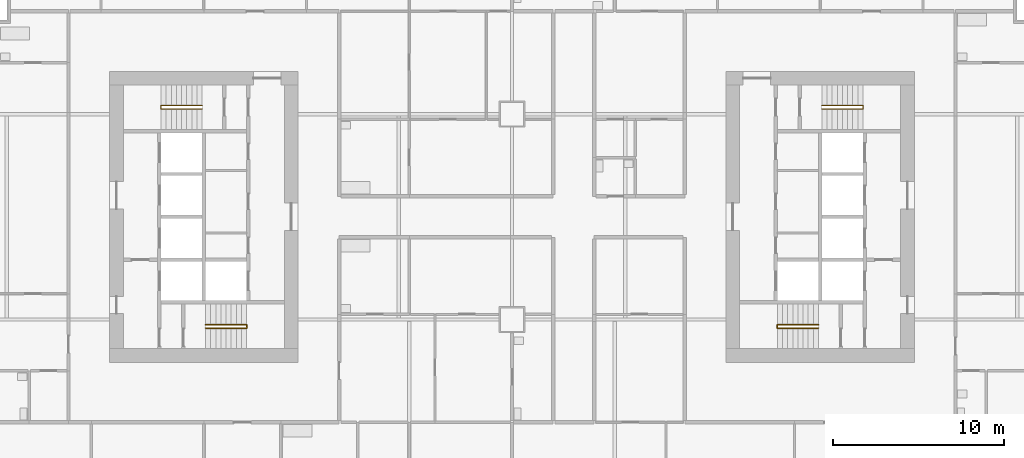
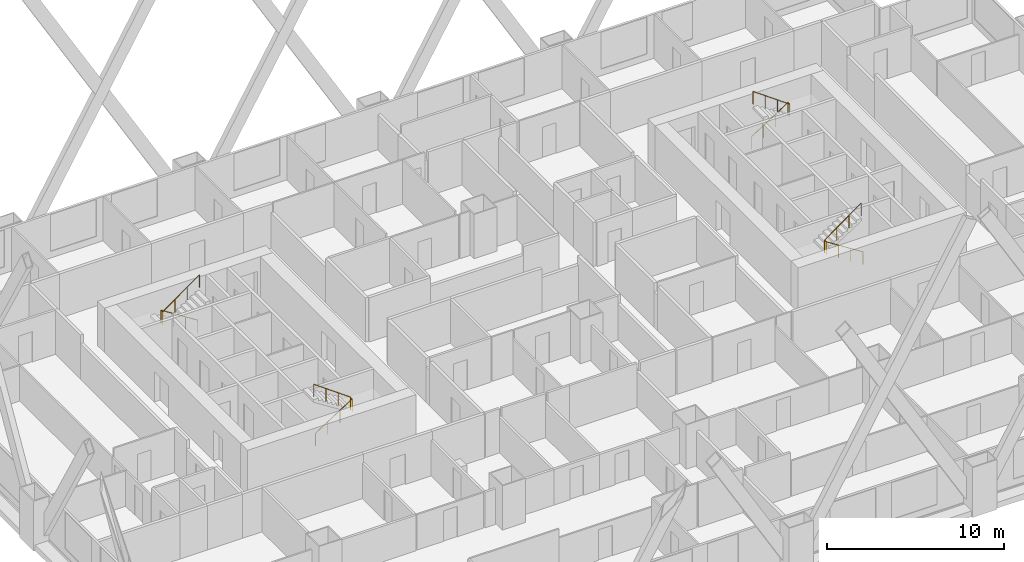
# One storey, part 12 of 13: 4 railings.
"""IFC4 building model written with IfcOpenShell, lengths in metres."""

from ifc_helpers import new_model, si_unit, direction, frame, origin, origin_2d, place, context, subcontext, project, spatial, circle, extrude, material, type_object, element, save


model = new_model("IFC4")

# Units and contexts
model_context = context("Model", 3, precision=1e-05, world=origin(), true_north=direction((0.0, 1.0)))
body_context = subcontext(model_context, "Body", "Model", "MODEL_VIEW")
ifc_project = project(units=[si_unit("LENGTHUNIT", "METRE"), si_unit("AREAUNIT", "SQUARE_METRE"), si_unit("VOLUMEUNIT", "CUBIC_METRE"), si_unit("PLANEANGLEUNIT", "RADIAN"), si_unit("MASSUNIT", "GRAM", prefix="KILO")], contexts=[model_context])

# Site, building, storey
site_placement = place(None, origin())
site = spatial("IfcSite", under=ifc_project, at=site_placement, CompositionType="ELEMENT")
building_placement = place(site_placement, origin())
building = spatial("IfcBuilding", under=site, at=building_placement, Name="Kitamizu Gate Tower and Museum", CompositionType="ELEMENT")
storey_placement = place(building_placement, frame((0.0, 0.0, 71.39990234375)))
storey = spatial("IfcBuildingStorey", under=building, at=storey_placement, Name="L17", CompositionType="ELEMENT", Elevation=71.39990234375)

# Railings
ifc_material = material(Name="Stainless steel SUS304", Category="steel")
railing_type = type_object("IfcRailingType", Name="Stair handrail 900", PredefinedType="HANDRAIL", material=ifc_material)
railing_1_placement = place(storey_placement, frame((18.10009765625, 23.5, 0.191650390625)))
element("IfcRailing", 1, at=railing_1_placement, inside=storey, type_object=railing_type, Name="Stair handrail ST1", PredefinedType="HANDRAIL", context=body_context, shape_type="SweptSolid", body=[
    extrude(circle(Radius=0.02392578125, at=origin_2d()), frame((0.0, 0.0, 0.8759765625), z_axis=(0.842668169335, 0.0, 0.538433242278), x_axis=(0.0, 1.0, 0.0)), (0.0, 0.0, 1.0), 2.847900390625),
    extrude(circle(Radius=0.02392578125, at=origin_2d()), frame((2.39990234375, 0.0, 2.4091796875), z_axis=(0.0, 1.0, 0.0), x_axis=(-1.0, 0.0, 0.0)), (0.0, 0.0, 1.0), 0.199951171875),
    extrude(circle(Radius=0.02392578125, at=origin_2d()), frame((2.39990234375, 0.199951171875, 2.4091796875), z_axis=(-0.811988456656, 0.0, 0.583673492852), x_axis=(0.0, -1.0, 0.0)), (0.0, 0.0, 1.0), 2.95556640625),
    extrude(circle(Radius=0.02099609375, at=origin_2d()), origin(), (0.0, 0.0, 1.0), 0.851806640625),
    extrude(circle(Radius=0.02099609375, at=origin_2d()), frame((0.800048828125, 0.0, 0.51123046875)), (0.0, 0.0, 1.0), 0.851806640625),
    extrude(circle(Radius=0.02099609375, at=origin_2d()), frame((1.599853515625, 0.0, 1.022216796875)), (0.0, 0.0, 1.0), 0.851806640625),
    extrude(circle(Radius=0.02099609375, at=origin_2d()), frame((2.39990234375, 0.0, 1.533447265625)), (0.0, 0.0, 1.0), 0.851806640625),
    extrude(circle(Radius=0.02099609375, at=origin_2d()), frame((2.39990234375, 0.199951171875, 1.533447265625)), (0.0, 0.0, 1.0), 0.851806640625),
    extrude(circle(Radius=0.02099609375, at=origin_2d()), frame((1.599853515625, 0.199951171875, 2.1083984375)), (0.0, 0.0, 1.0), 0.851806640625),
    extrude(circle(Radius=0.02099609375, at=origin_2d()), frame((0.800048828125, 0.199951171875, 2.68359375)), (0.0, 0.0, 1.0), 0.851806640625),
    extrude(circle(Radius=0.02099609375, at=origin_2d()), frame((0.0, 0.199951171875, 3.258544921875)), (0.0, 0.0, 1.0), 0.851806640625),
])
railing_2_placement = place(storey_placement, frame((17.89990234375, 36.5, 0.191650390625)))
element("IfcRailing", 2, at=railing_2_placement, inside=storey, type_object=railing_type, Name="Stair handrail ST2", PredefinedType="HANDRAIL", context=body_context, shape_type="SweptSolid", body=[
    extrude(circle(Radius=0.02392578125, at=origin_2d()), frame((0.0, 0.0, 0.8759765625), z_axis=(-0.842668169335, 0.0, 0.538433242278), x_axis=(0.0, -1.0, 0.0)), (0.0, 0.0, 1.0), 2.847900390625),
    extrude(circle(Radius=0.02392578125, at=origin_2d()), frame((-2.39990234375, 0.0, 2.4091796875), z_axis=(0.0, -1.0, 0.0), x_axis=(1.0, 0.0, 0.0)), (0.0, 0.0, 1.0), 0.199951171875),
    extrude(circle(Radius=0.02392578125, at=origin_2d()), frame((-2.39990234375, -0.199951171875, 2.4091796875), z_axis=(0.811988456656, 0.0, 0.583673492852), x_axis=(0.0, 1.0, 0.0)), (0.0, 0.0, 1.0), 2.95556640625),
    extrude(circle(Radius=0.02099609375, at=origin_2d()), origin(), (0.0, 0.0, 1.0), 0.851806640625),
    extrude(circle(Radius=0.02099609375, at=origin_2d()), frame((-0.800048828125, 0.0, 0.51123046875)), (0.0, 0.0, 1.0), 0.851806640625),
    extrude(circle(Radius=0.02099609375, at=origin_2d()), frame((-1.599853515625, 0.0, 1.022216796875)), (0.0, 0.0, 1.0), 0.851806640625),
    extrude(circle(Radius=0.02099609375, at=origin_2d()), frame((-2.39990234375, 0.0, 1.533447265625)), (0.0, 0.0, 1.0), 0.851806640625),
    extrude(circle(Radius=0.02099609375, at=origin_2d()), frame((-2.39990234375, -0.199951171875, 1.533447265625)), (0.0, 0.0, 1.0), 0.851806640625),
    extrude(circle(Radius=0.02099609375, at=origin_2d()), frame((-1.599853515625, -0.199951171875, 2.1083984375)), (0.0, 0.0, 1.0), 0.851806640625),
    extrude(circle(Radius=0.02099609375, at=origin_2d()), frame((-0.800048828125, -0.199951171875, 2.68359375)), (0.0, 0.0, 1.0), 0.851806640625),
    extrude(circle(Radius=0.02099609375, at=origin_2d()), frame((0.0, -0.199951171875, 3.258544921875)), (0.0, 0.0, 1.0), 0.851806640625),
])
railing_3_placement = place(storey_placement, frame((53.89990234375, 23.5, 0.191650390625)))
element("IfcRailing", 3, at=railing_3_placement, inside=storey, type_object=railing_type, Name="Stair handrail ST3", PredefinedType="HANDRAIL", context=body_context, shape_type="SweptSolid", body=[
    extrude(circle(Radius=0.02392578125, at=origin_2d()), frame((0.0, 0.0, 0.8759765625), z_axis=(-0.842668169335, 0.0, 0.538433242278), x_axis=(0.0, -1.0, 0.0)), (0.0, 0.0, 1.0), 2.847900390625),
    extrude(circle(Radius=0.02392578125, at=origin_2d()), frame((-2.39990234375, 0.0, 2.4091796875), z_axis=(0.0, 1.0, 0.0), x_axis=(-1.0, 0.0, 0.0)), (0.0, 0.0, 1.0), 0.199951171875),
    extrude(circle(Radius=0.02392578125, at=origin_2d()), frame((-2.39990234375, 0.199951171875, 2.4091796875), z_axis=(0.811988456656, 0.0, 0.583673492852), x_axis=(0.0, 1.0, 0.0)), (0.0, 0.0, 1.0), 2.95556640625),
    extrude(circle(Radius=0.02099609375, at=origin_2d()), origin(), (0.0, 0.0, 1.0), 0.851806640625),
    extrude(circle(Radius=0.02099609375, at=origin_2d()), frame((-0.800048828125, 0.0, 0.51123046875)), (0.0, 0.0, 1.0), 0.851806640625),
    extrude(circle(Radius=0.02099609375, at=origin_2d()), frame((-1.599853515625, 0.0, 1.022216796875)), (0.0, 0.0, 1.0), 0.851806640625),
    extrude(circle(Radius=0.02099609375, at=origin_2d()), frame((-2.39990234375, 0.0, 1.533447265625)), (0.0, 0.0, 1.0), 0.851806640625),
    extrude(circle(Radius=0.02099609375, at=origin_2d()), frame((-2.39990234375, 0.199951171875, 1.533447265625)), (0.0, 0.0, 1.0), 0.851806640625),
    extrude(circle(Radius=0.02099609375, at=origin_2d()), frame((-1.599853515625, 0.199951171875, 2.1083984375)), (0.0, 0.0, 1.0), 0.851806640625),
    extrude(circle(Radius=0.02099609375, at=origin_2d()), frame((-0.800048828125, 0.199951171875, 2.68359375)), (0.0, 0.0, 1.0), 0.851806640625),
    extrude(circle(Radius=0.02099609375, at=origin_2d()), frame((0.0, 0.199951171875, 3.258544921875)), (0.0, 0.0, 1.0), 0.851806640625),
])
railing_4_placement = place(storey_placement, frame((54.10009765625, 36.5, 0.191650390625)))
element("IfcRailing", 4, at=railing_4_placement, inside=storey, type_object=railing_type, Name="Stair handrail ST4", PredefinedType="HANDRAIL", context=body_context, shape_type="SweptSolid", body=[
    extrude(circle(Radius=0.02392578125, at=origin_2d()), frame((0.0, 0.0, 0.8759765625), z_axis=(0.842668169335, 0.0, 0.538433242278), x_axis=(0.0, 1.0, 0.0)), (0.0, 0.0, 1.0), 2.847900390625),
    extrude(circle(Radius=0.02392578125, at=origin_2d()), frame((2.39990234375, 0.0, 2.4091796875), z_axis=(0.0, -1.0, 0.0), x_axis=(1.0, 0.0, 0.0)), (0.0, 0.0, 1.0), 0.199951171875),
    extrude(circle(Radius=0.02392578125, at=origin_2d()), frame((2.39990234375, -0.199951171875, 2.4091796875), z_axis=(-0.811988456656, 0.0, 0.583673492852), x_axis=(0.0, -1.0, 0.0)), (0.0, 0.0, 1.0), 2.95556640625),
    extrude(circle(Radius=0.02099609375, at=origin_2d()), origin(), (0.0, 0.0, 1.0), 0.851806640625),
    extrude(circle(Radius=0.02099609375, at=origin_2d()), frame((0.800048828125, 0.0, 0.51123046875)), (0.0, 0.0, 1.0), 0.851806640625),
    extrude(circle(Radius=0.02099609375, at=origin_2d()), frame((1.599853515625, 0.0, 1.022216796875)), (0.0, 0.0, 1.0), 0.851806640625),
    extrude(circle(Radius=0.02099609375, at=origin_2d()), frame((2.39990234375, 0.0, 1.533447265625)), (0.0, 0.0, 1.0), 0.851806640625),
    extrude(circle(Radius=0.02099609375, at=origin_2d()), frame((2.39990234375, -0.199951171875, 1.533447265625)), (0.0, 0.0, 1.0), 0.851806640625),
    extrude(circle(Radius=0.02099609375, at=origin_2d()), frame((1.599853515625, -0.199951171875, 2.1083984375)), (0.0, 0.0, 1.0), 0.851806640625),
    extrude(circle(Radius=0.02099609375, at=origin_2d()), frame((0.800048828125, -0.199951171875, 2.68359375)), (0.0, 0.0, 1.0), 0.851806640625),
    extrude(circle(Radius=0.02099609375, at=origin_2d()), frame((0.0, -0.199951171875, 3.258544921875)), (0.0, 0.0, 1.0), 0.851806640625),
])

save(model, "model.ifc")
